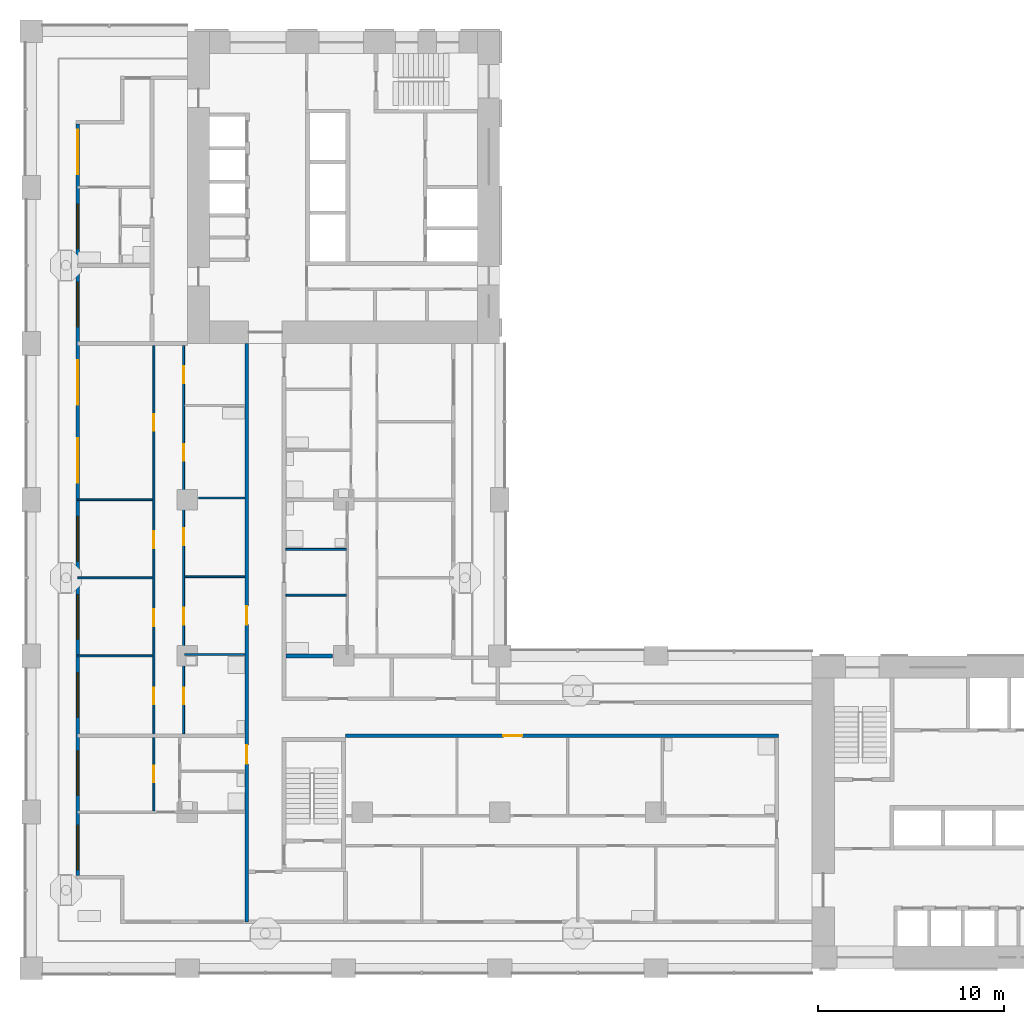
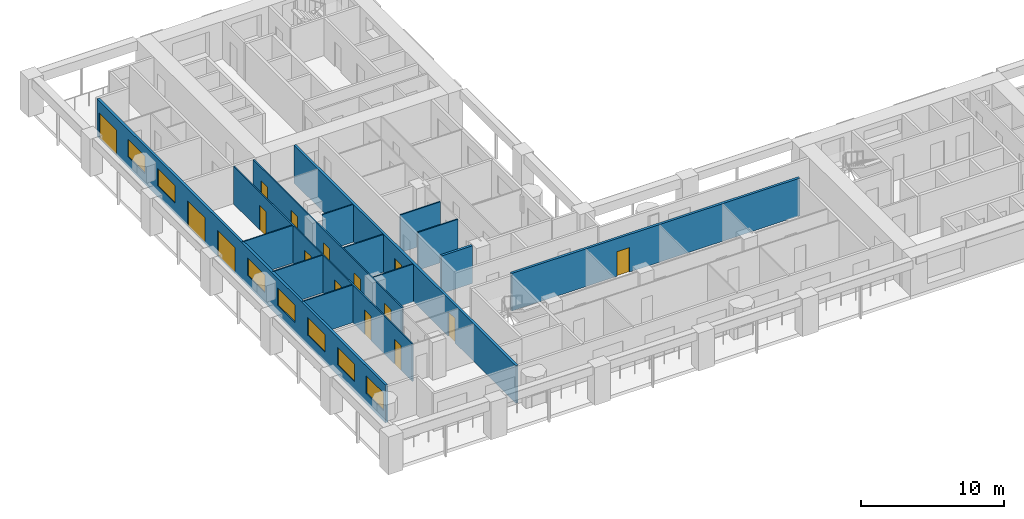
# One storey, part 3 of 18: 16 doors, 14 walls, 7 windows, 23 openings.
"""IFC4 building model written with IfcOpenShell, lengths in metres."""

from ifc_helpers import new_model, si_unit, direction, frame, frame_2d, origin, place, context, subcontext, project, spatial, rectangle, extrude, material, layer, layer_set, type_object, element, fill, save


model = new_model("IFC4")

# Units and contexts
model_context = context("Model", 3, precision=1e-05, world=origin(), true_north=direction((0.0, 1.0)))
body_context = subcontext(model_context, "Body", "Model", "MODEL_VIEW")
ifc_project = project(units=[si_unit("LENGTHUNIT", "METRE"), si_unit("AREAUNIT", "SQUARE_METRE"), si_unit("VOLUMEUNIT", "CUBIC_METRE"), si_unit("PLANEANGLEUNIT", "RADIAN"), si_unit("MASSUNIT", "GRAM", prefix="KILO")], contexts=[model_context])

# Site, building, storey
site_placement = place(None, origin())
site = spatial("IfcSite", under=ifc_project, at=site_placement, CompositionType="ELEMENT")
building_placement = place(site_placement, origin())
building = spatial("IfcBuilding", under=site, at=building_placement, Name="Vermilion Gate Residences", CompositionType="ELEMENT")
storey_placement = place(building_placement, frame((0.0, 0.0, 88.199951171875)))
storey = spatial("IfcBuildingStorey", under=building, at=storey_placement, Name="L21", CompositionType="ELEMENT", Elevation=88.199951171875)

# Wall, openings, doors, windows
ifc_material_1 = material(Name="Insulated steel stud wall with terracotta rainscreen", Category="masonry")
ifc_layer_1 = layer(ifc_material_1, 0.199951171875)
ifc_layer_set_1 = layer_set([ifc_layer_1], Name="EXTERNAL WALL 200 TERRACOTTA RAINSCREEN")
wall_type_1 = type_object("IfcWallType", Name="EXTERNAL WALL 200 TERRACOTTA RAINSCREEN", PredefinedType="SOLIDWALL", material=ifc_layer_set_1)
wall_1_placement = place(storey_placement, frame((2.5, 53.800048828125, 0.0), z_axis=(0.0, 0.0, 1.0), x_axis=(0.0, -1.0, 0.0)))
wall_1 = element("IfcWall", 1, at=wall_1_placement, inside=storey, type_object=wall_type_1, Name="External wall", PredefinedType="SOLIDWALL", context=body_context, shape_type="SweptSolid", body=[
    extrude(rectangle(XDim=40.400146484375, YDim=0.199951171875, at=frame_2d((20.2001953125, 0.0))), origin(), (0.0, 0.0, 1.0), 3.219970703125),
])
opening_1_placement = place(wall_1_placement, frame((37.699951171875, 0.0, 0.89990234375)))
opening_1 = element("IfcOpeningElement", 2, at=opening_1_placement, cuts=wall_1, Name="Opening WE21002", PredefinedType="OPENING", context=body_context, shape_type="SweptSolid", body=[
    extrude(rectangle(XDim=2.39990234375, YDim=1.5, at=frame_2d((1.199951171875, 0.75))), frame((0.0, 0.10986328125, 0.0), z_axis=(0.0, -1.0, 0.0), x_axis=(1.0, 0.0, 0.0)), (0.0, 0.0, 1.0), 0.219970703125),
])
opening_2_placement = place(wall_1_placement, frame((33.699951171875, 0.0, 0.89990234375)))
opening_2 = element("IfcOpeningElement", 3, at=opening_2_placement, cuts=wall_1, Name="Opening WE21003", PredefinedType="OPENING", context=body_context, shape_type="SweptSolid", body=[
    extrude(rectangle(XDim=2.39990234375, YDim=1.5, at=frame_2d((1.199951171875, 0.75))), frame((0.0, 0.10986328125, 0.0), z_axis=(0.0, -1.0, 0.0), x_axis=(1.0, 0.0, 0.0)), (0.0, 0.0, 1.0), 0.219970703125),
])
opening_3_placement = place(wall_1_placement, frame((29.5, 0.0, 0.89990234375)))
opening_3 = element("IfcOpeningElement", 4, at=opening_3_placement, cuts=wall_1, Name="Opening WE21004", PredefinedType="OPENING", context=body_context, shape_type="SweptSolid", body=[
    extrude(rectangle(XDim=2.39990234375, YDim=1.5, at=frame_2d((1.199951171875, 0.75))), frame((0.0, 0.10986328125, 0.0), z_axis=(0.0, -1.0, 0.0), x_axis=(1.0, 0.0, 0.0)), (0.0, 0.0, 1.0), 0.219970703125),
])
opening_4_placement = place(wall_1_placement, frame((25.300048828125, 0.0, 0.89990234375)))
opening_4 = element("IfcOpeningElement", 5, at=opening_4_placement, cuts=wall_1, Name="Opening WE21005", PredefinedType="OPENING", context=body_context, shape_type="SweptSolid", body=[
    extrude(rectangle(XDim=2.39990234375, YDim=1.5, at=frame_2d((1.199951171875, 0.75))), frame((0.0, 0.10986328125, 0.0), z_axis=(0.0, -1.0, 0.0), x_axis=(1.0, 0.0, 0.0)), (0.0, 0.0, 1.0), 0.219970703125),
])
opening_5_placement = place(wall_1_placement, frame((21.10009765625, 0.0, 0.89990234375)))
opening_5 = element("IfcOpeningElement", 6, at=opening_5_placement, cuts=wall_1, Name="Opening WE21006", PredefinedType="OPENING", context=body_context, shape_type="SweptSolid", body=[
    extrude(rectangle(XDim=2.39990234375, YDim=1.5, at=frame_2d((1.199951171875, 0.75))), frame((0.0, 0.10986328125, 0.0), z_axis=(0.0, -1.0, 0.0), x_axis=(1.0, 0.0, 0.0)), (0.0, 0.0, 1.0), 0.219970703125),
])
opening_6_placement = place(wall_1_placement, frame((16.89990234375, 0.0, 0.0)))
opening_6 = element("IfcOpeningElement", 7, at=opening_6_placement, cuts=wall_1, Name="Opening DE21007", PredefinedType="OPENING", context=body_context, shape_type="SweptSolid", body=[
    extrude(rectangle(XDim=2.39990234375, YDim=2.199951171875, at=frame_2d((1.199951171875, 1.10009765625))), frame((0.0, 0.10986328125, 0.0), z_axis=(0.0, -1.0, 0.0), x_axis=(1.0, 0.0, 0.0)), (0.0, 0.0, 1.0), 0.219970703125),
])
opening_7_placement = place(wall_1_placement, frame((12.699951171875, 0.0, 0.0)))
opening_7 = element("IfcOpeningElement", 8, at=opening_7_placement, cuts=wall_1, Name="Opening DE21008", PredefinedType="OPENING", context=body_context, shape_type="SweptSolid", body=[
    extrude(rectangle(XDim=2.39990234375, YDim=2.199951171875, at=frame_2d((1.199951171875, 1.10009765625))), frame((0.0, 0.10986328125, 0.0), z_axis=(0.0, -1.0, 0.0), x_axis=(1.0, 0.0, 0.0)), (0.0, 0.0, 1.0), 0.219970703125),
])
opening_8_placement = place(wall_1_placement, frame((8.5, 0.0, 0.89990234375)))
opening_8 = element("IfcOpeningElement", 9, at=opening_8_placement, cuts=wall_1, Name="Opening WE21009", PredefinedType="OPENING", context=body_context, shape_type="SweptSolid", body=[
    extrude(rectangle(XDim=2.39990234375, YDim=1.5, at=frame_2d((1.199951171875, 0.75))), frame((0.0, 0.10986328125, 0.0), z_axis=(0.0, -1.0, 0.0), x_axis=(1.0, 0.0, 0.0)), (0.0, 0.0, 1.0), 0.219970703125),
])
opening_9_placement = place(wall_1_placement, frame((4.300048828125, 0.0, 0.89990234375)))
opening_9 = element("IfcOpeningElement", 10, at=opening_9_placement, cuts=wall_1, Name="Opening WE21010", PredefinedType="OPENING", context=body_context, shape_type="SweptSolid", body=[
    extrude(rectangle(XDim=2.39990234375, YDim=1.5, at=frame_2d((1.199951171875, 0.75))), frame((0.0, 0.10986328125, 0.0), z_axis=(0.0, -1.0, 0.0), x_axis=(1.0, 0.0, 0.0)), (0.0, 0.0, 1.0), 0.219970703125),
])
opening_10_placement = place(wall_1_placement, frame((0.300048828125, 0.0, 0.0)))
opening_10 = element("IfcOpeningElement", 11, at=opening_10_placement, cuts=wall_1, Name="Opening DE21011", PredefinedType="OPENING", context=body_context, shape_type="SweptSolid", body=[
    extrude(rectangle(XDim=2.39990234375, YDim=2.199951171875, at=frame_2d((1.199951171875, 1.10009765625))), frame((0.0, 0.10986328125, 0.0), z_axis=(0.0, -1.0, 0.0), x_axis=(1.0, 0.0, 0.0)), (0.0, 0.0, 1.0), 0.219970703125),
])
ifc_material_2 = material(Name="Aluminium and clear glass", Category="aluminium")
door_type_1 = type_object("IfcDoorType", Name="SLIDING GLAZED DOOR 2400 X 2200", OperationType="DOUBLE_DOOR_SLIDING", PredefinedType="DOOR", material=ifc_material_2)
door_1_placement = place(opening_6_placement, origin())
door_1 = element("IfcDoor", 12, at=door_1_placement, inside=storey, type_object=door_type_1, Name="Loggia sliding door", OperationType="DOUBLE_DOOR_SLIDING", OverallHeight=2.199951171875, OverallWidth=2.39990234375, PredefinedType="DOOR", context=body_context, shape_type="SweptSolid", body=[
    extrude(rectangle(XDim=2.39990234375, YDim=2.199951171875, at=frame_2d((1.199951171875, 1.10009765625))), frame((0.0, 0.02490234375, 0.0), z_axis=(0.0, -1.0, 0.0), x_axis=(1.0, 0.0, 0.0)), (0.0, 0.0, 1.0), 0.050048828125),
])
fill(opening_6, door_1)
door_2_placement = place(opening_7_placement, origin())
door_2 = element("IfcDoor", 13, at=door_2_placement, inside=storey, type_object=door_type_1, Name="Loggia sliding door", OperationType="DOUBLE_DOOR_SLIDING", OverallHeight=2.199951171875, OverallWidth=2.39990234375, PredefinedType="DOOR", context=body_context, shape_type="SweptSolid", body=[
    extrude(rectangle(XDim=2.39990234375, YDim=2.199951171875, at=frame_2d((1.199951171875, 1.10009765625))), frame((0.0, 0.02490234375, 0.0), z_axis=(0.0, -1.0, 0.0), x_axis=(1.0, 0.0, 0.0)), (0.0, 0.0, 1.0), 0.050048828125),
])
fill(opening_7, door_2)
door_3_placement = place(opening_10_placement, origin())
door_3 = element("IfcDoor", 14, at=door_3_placement, inside=storey, type_object=door_type_1, Name="Loggia sliding door", OperationType="DOUBLE_DOOR_SLIDING", OverallHeight=2.199951171875, OverallWidth=2.39990234375, PredefinedType="DOOR", context=body_context, shape_type="SweptSolid", body=[
    extrude(rectangle(XDim=2.39990234375, YDim=2.199951171875, at=frame_2d((1.199951171875, 1.10009765625))), frame((0.0, 0.02490234375, 0.0), z_axis=(0.0, -1.0, 0.0), x_axis=(1.0, 0.0, 0.0)), (0.0, 0.0, 1.0), 0.050048828125),
])
fill(opening_10, door_3)
ifc_material_3 = material(Name="Aluminium and clear glass", Category="aluminium")
window_type = type_object("IfcWindowType", Name="WINDOW 2400 X 1500", PartitioningType="SINGLE_PANEL", PredefinedType="WINDOW", material=ifc_material_3)
window_1_placement = place(opening_1_placement, origin())
window_1 = element("IfcWindow", 15, at=window_1_placement, inside=storey, type_object=window_type, Name="Window", OverallHeight=1.5, OverallWidth=2.39990234375, PartitioningType="SINGLE_PANEL", PredefinedType="WINDOW", context=body_context, shape_type="SweptSolid", body=[
    extrude(rectangle(XDim=2.39990234375, YDim=1.5, at=frame_2d((1.199951171875, 0.75))), frame((0.0, 0.030029296875, 0.0), z_axis=(0.0, -1.0, 0.0), x_axis=(1.0, 0.0, 0.0)), (0.0, 0.0, 1.0), 0.06005859375),
])
fill(opening_1, window_1)
window_2_placement = place(opening_2_placement, origin())
window_2 = element("IfcWindow", 16, at=window_2_placement, inside=storey, type_object=window_type, Name="Window", OverallHeight=1.5, OverallWidth=2.39990234375, PartitioningType="SINGLE_PANEL", PredefinedType="WINDOW", context=body_context, shape_type="SweptSolid", body=[
    extrude(rectangle(XDim=2.39990234375, YDim=1.5, at=frame_2d((1.199951171875, 0.75))), frame((0.0, 0.030029296875, 0.0), z_axis=(0.0, -1.0, 0.0), x_axis=(1.0, 0.0, 0.0)), (0.0, 0.0, 1.0), 0.06005859375),
])
fill(opening_2, window_2)
window_3_placement = place(opening_3_placement, origin())
window_3 = element("IfcWindow", 17, at=window_3_placement, inside=storey, type_object=window_type, Name="Window", OverallHeight=1.5, OverallWidth=2.39990234375, PartitioningType="SINGLE_PANEL", PredefinedType="WINDOW", context=body_context, shape_type="SweptSolid", body=[
    extrude(rectangle(XDim=2.39990234375, YDim=1.5, at=frame_2d((1.199951171875, 0.75))), frame((0.0, 0.030029296875, 0.0), z_axis=(0.0, -1.0, 0.0), x_axis=(1.0, 0.0, 0.0)), (0.0, 0.0, 1.0), 0.06005859375),
])
fill(opening_3, window_3)
window_4_placement = place(opening_4_placement, origin())
window_4 = element("IfcWindow", 18, at=window_4_placement, inside=storey, type_object=window_type, Name="Window", OverallHeight=1.5, OverallWidth=2.39990234375, PartitioningType="SINGLE_PANEL", PredefinedType="WINDOW", context=body_context, shape_type="SweptSolid", body=[
    extrude(rectangle(XDim=2.39990234375, YDim=1.5, at=frame_2d((1.199951171875, 0.75))), frame((0.0, 0.030029296875, 0.0), z_axis=(0.0, -1.0, 0.0), x_axis=(1.0, 0.0, 0.0)), (0.0, 0.0, 1.0), 0.06005859375),
])
fill(opening_4, window_4)
window_5_placement = place(opening_5_placement, origin())
window_5 = element("IfcWindow", 19, at=window_5_placement, inside=storey, type_object=window_type, Name="Window", OverallHeight=1.5, OverallWidth=2.39990234375, PartitioningType="SINGLE_PANEL", PredefinedType="WINDOW", context=body_context, shape_type="SweptSolid", body=[
    extrude(rectangle(XDim=2.39990234375, YDim=1.5, at=frame_2d((1.199951171875, 0.75))), frame((0.0, 0.030029296875, 0.0), z_axis=(0.0, -1.0, 0.0), x_axis=(1.0, 0.0, 0.0)), (0.0, 0.0, 1.0), 0.06005859375),
])
fill(opening_5, window_5)
window_6_placement = place(opening_8_placement, origin())
window_6 = element("IfcWindow", 20, at=window_6_placement, inside=storey, type_object=window_type, Name="Window", OverallHeight=1.5, OverallWidth=2.39990234375, PartitioningType="SINGLE_PANEL", PredefinedType="WINDOW", context=body_context, shape_type="SweptSolid", body=[
    extrude(rectangle(XDim=2.39990234375, YDim=1.5, at=frame_2d((1.199951171875, 0.75))), frame((0.0, 0.030029296875, 0.0), z_axis=(0.0, -1.0, 0.0), x_axis=(1.0, 0.0, 0.0)), (0.0, 0.0, 1.0), 0.06005859375),
])
fill(opening_8, window_6)
window_7_placement = place(opening_9_placement, origin())
window_7 = element("IfcWindow", 21, at=window_7_placement, inside=storey, type_object=window_type, Name="Window", OverallHeight=1.5, OverallWidth=2.39990234375, PartitioningType="SINGLE_PANEL", PredefinedType="WINDOW", context=body_context, shape_type="SweptSolid", body=[
    extrude(rectangle(XDim=2.39990234375, YDim=1.5, at=frame_2d((1.199951171875, 0.75))), frame((0.0, 0.030029296875, 0.0), z_axis=(0.0, -1.0, 0.0), x_axis=(1.0, 0.0, 0.0)), (0.0, 0.0, 1.0), 0.06005859375),
])
fill(opening_9, window_7)

# Walls
ifc_material_4 = material(Name="Plasterboard on steel studs", Category="steel")
ifc_layer_2 = layer(ifc_material_4, 0.10009765625)
ifc_layer_set_2 = layer_set([ifc_layer_2], Name="PARTITION 100")
wall_type_2 = type_object("IfcWallType", Name="PARTITION 100", PredefinedType="PARTITIONING", material=ifc_layer_set_2)
wall_2_placement = place(storey_placement, frame((2.5, 25.199951171875, 0.0), z_axis=(0.0, 0.0, 1.0), x_axis=(1.0, 0.0, 0.0)))
element("IfcWall", 22, at=wall_2_placement, inside=storey, type_object=wall_type_2, Name="Partition", PredefinedType="PARTITIONING", context=body_context, shape_type="SweptSolid", body=[
    extrude(rectangle(XDim=4.050048828125, YDim=0.10009765625, at=frame_2d((2.02490234375, 0.0))), origin(), (0.0, 0.0, 1.0), 3.219970703125),
])
for number, where, z_axis, x_axis, name in (
    (23, (8.25, 25.280029296875, 0.0), (0.0, 0.0, 1.0), (1.0, 0.0, 0.0), "Partition"),
    (24, (13.699951171875, 28.467041015625, 0.0), (0.0, 0.0, 1.0), (1.0, 0.0, 0.0), "Partition"),
):
    element("IfcWall", number, at=place(storey_placement, frame(where, z_axis=z_axis, x_axis=x_axis)), inside=storey, type_object=wall_type_2, Name=name, PredefinedType="PARTITIONING", context=body_context, shape_type="SweptSolid", body=[
        extrude(rectangle(XDim=3.25, YDim=0.10009765625, at=frame_2d((1.625, 0.0))), origin(), (0.0, 0.0, 1.0), 3.219970703125),
    ])
wall_3_placement = place(storey_placement, frame((2.5, 29.39990234375, 0.0), z_axis=(0.0, 0.0, 1.0), x_axis=(1.0, 0.0, 0.0)))
element("IfcWall", 25, at=wall_3_placement, inside=storey, type_object=wall_type_2, Name="Partition", PredefinedType="PARTITIONING", context=body_context, shape_type="SweptSolid", body=[
    extrude(rectangle(XDim=4.050048828125, YDim=0.10009765625, at=frame_2d((2.02490234375, 0.0))), origin(), (0.0, 0.0, 1.0), 3.219970703125),
])
for number, where, z_axis, x_axis, name in (
    (26, (8.25, 29.4599609375, 0.0), (0.0, 0.0, 1.0), (1.0, 0.0, 0.0), "Partition"),
    (27, (13.699951171875, 30.93310546875, 0.0), (0.0, 0.0, 1.0), (1.0, 0.0, 0.0), "Partition"),
):
    element("IfcWall", number, at=place(storey_placement, frame(where, z_axis=z_axis, x_axis=x_axis)), inside=storey, type_object=wall_type_2, Name=name, PredefinedType="PARTITIONING", context=body_context, shape_type="SweptSolid", body=[
        extrude(rectangle(XDim=3.25, YDim=0.10009765625, at=frame_2d((1.625, 0.0))), origin(), (0.0, 0.0, 1.0), 3.219970703125),
    ])
wall_4_placement = place(storey_placement, frame((2.5, 33.60009765625, 0.0), z_axis=(0.0, 0.0, 1.0), x_axis=(1.0, 0.0, 0.0)))
element("IfcWall", 28, at=wall_4_placement, inside=storey, type_object=wall_type_2, Name="Partition", PredefinedType="PARTITIONING", context=body_context, shape_type="SweptSolid", body=[
    extrude(rectangle(XDim=4.050048828125, YDim=0.10009765625, at=frame_2d((2.02490234375, 0.0))), origin(), (0.0, 0.0, 1.0), 3.219970703125),
])
wall_5_placement = place(storey_placement, frame((9.0, 33.68994140625, 0.0), z_axis=(0.0, 0.0, 1.0), x_axis=(1.0, 0.0, 0.0)))
element("IfcWall", 29, at=wall_5_placement, inside=storey, type_object=wall_type_2, Name="Partition", PredefinedType="PARTITIONING", context=body_context, shape_type="SweptSolid", body=[
    extrude(rectangle(XDim=2.5, YDim=0.10009765625, at=frame_2d((1.25, 0.0))), origin(), (0.0, 0.0, 1.0), 3.219970703125),
])

# Wall, openings, doors
wall_6_placement = place(storey_placement, frame((6.60009765625, 16.85009765625, 0.0), z_axis=(0.0, 0.0, 1.0), x_axis=(0.0, 1.0, 0.0)))
wall_6 = element("IfcWall", 30, at=wall_6_placement, inside=storey, type_object=wall_type_2, Name="Partition", PredefinedType="PARTITIONING", context=body_context, shape_type="SweptSolid", body=[
    extrude(rectangle(XDim=25.0498046875, YDim=0.10009765625, at=frame_2d((12.52490234375, 0.0))), origin(), (0.0, 0.0, 1.0), 3.219970703125),
])
opening_11_placement = place(wall_6_placement, frame((1.550048828125, 0.0, 0.0)))
opening_11 = element("IfcOpeningElement", 31, at=opening_11_placement, cuts=wall_6, Name="Opening DA19019", PredefinedType="OPENING", context=body_context, shape_type="SweptSolid", body=[
    extrude(rectangle(XDim=0.89990234375, YDim=2.10009765625, at=frame_2d((0.449951171875, 1.050048828125))), frame((0.0, 0.06005859375, 0.0), z_axis=(0.0, -1.0, 0.0), x_axis=(1.0, 0.0, 0.0)), (0.0, 0.0, 1.0), 0.1201171875),
])
opening_12_placement = place(wall_6_placement, frame((5.75, 0.0, 0.0)))
opening_12 = element("IfcOpeningElement", 32, at=opening_12_placement, cuts=wall_6, Name="Opening DA19020", PredefinedType="OPENING", context=body_context, shape_type="SweptSolid", body=[
    extrude(rectangle(XDim=0.89990234375, YDim=2.10009765625, at=frame_2d((0.449951171875, 1.050048828125))), frame((0.0, 0.06005859375, 0.0), z_axis=(0.0, -1.0, 0.0), x_axis=(1.0, 0.0, 0.0)), (0.0, 0.0, 1.0), 0.1201171875),
])
opening_13_placement = place(wall_6_placement, frame((9.949951171875, 0.0, 0.0)))
opening_13 = element("IfcOpeningElement", 33, at=opening_13_placement, cuts=wall_6, Name="Opening DA19021", PredefinedType="OPENING", context=body_context, shape_type="SweptSolid", body=[
    extrude(rectangle(XDim=0.89990234375, YDim=2.10009765625, at=frame_2d((0.449951171875, 1.050048828125))), frame((0.0, 0.06005859375, 0.0), z_axis=(0.0, -1.0, 0.0), x_axis=(1.0, 0.0, 0.0)), (0.0, 0.0, 1.0), 0.1201171875),
])
opening_14_placement = place(wall_6_placement, frame((14.14990234375, 0.0, 0.0)))
opening_14 = element("IfcOpeningElement", 34, at=opening_14_placement, cuts=wall_6, Name="Opening DA19022", PredefinedType="OPENING", context=body_context, shape_type="SweptSolid", body=[
    extrude(rectangle(XDim=0.89990234375, YDim=2.10009765625, at=frame_2d((0.449951171875, 1.050048828125))), frame((0.0, 0.06005859375, 0.0), z_axis=(0.0, -1.0, 0.0), x_axis=(1.0, 0.0, 0.0)), (0.0, 0.0, 1.0), 0.1201171875),
])
opening_15_placement = place(wall_6_placement, frame((20.449951171875, 0.0, 0.0)))
opening_15 = element("IfcOpeningElement", 35, at=opening_15_placement, cuts=wall_6, Name="Opening DA19023", PredefinedType="OPENING", context=body_context, shape_type="SweptSolid", body=[
    extrude(rectangle(XDim=0.89990234375, YDim=2.10009765625, at=frame_2d((0.449951171875, 1.050048828125))), frame((0.0, 0.06005859375, 0.0), z_axis=(0.0, -1.0, 0.0), x_axis=(1.0, 0.0, 0.0)), (0.0, 0.0, 1.0), 0.1201171875),
])
ifc_material_5 = material(Name="Timber", Category="wood")
door_type_2 = type_object("IfcDoorType", Name="INTERIOR DOOR 900 X 2100", OperationType="SINGLE_SWING_LEFT", PredefinedType="DOOR", material=ifc_material_5)
door_4_placement = place(opening_11_placement, origin())
door_4 = element("IfcDoor", 36, at=door_4_placement, inside=storey, type_object=door_type_2, Name="Interior door", OperationType="SINGLE_SWING_RIGHT", OverallHeight=2.10009765625, OverallWidth=0.89990234375, PredefinedType="DOOR", context=body_context, shape_type="SweptSolid", body=[
    extrude(rectangle(XDim=0.89990234375, YDim=2.10009765625, at=frame_2d((0.449951171875, 1.050048828125))), frame((0.0, 0.02490234375, 0.0), z_axis=(0.0, -1.0, 0.0), x_axis=(1.0, 0.0, 0.0)), (0.0, 0.0, 1.0), 0.050048828125),
])
fill(opening_11, door_4)
door_5_placement = place(opening_12_placement, origin())
door_5 = element("IfcDoor", 37, at=door_5_placement, inside=storey, type_object=door_type_2, Name="Interior door", OperationType="SINGLE_SWING_LEFT", OverallHeight=2.10009765625, OverallWidth=0.89990234375, PredefinedType="DOOR", context=body_context, shape_type="SweptSolid", body=[
    extrude(rectangle(XDim=0.89990234375, YDim=2.10009765625, at=frame_2d((0.449951171875, 1.050048828125))), frame((0.0, 0.02490234375, 0.0), z_axis=(0.0, -1.0, 0.0), x_axis=(1.0, 0.0, 0.0)), (0.0, 0.0, 1.0), 0.050048828125),
])
fill(opening_12, door_5)
door_6_placement = place(opening_13_placement, origin())
door_6 = element("IfcDoor", 38, at=door_6_placement, inside=storey, type_object=door_type_2, Name="Interior door", OperationType="SINGLE_SWING_LEFT", OverallHeight=2.10009765625, OverallWidth=0.89990234375, PredefinedType="DOOR", context=body_context, shape_type="SweptSolid", body=[
    extrude(rectangle(XDim=0.89990234375, YDim=2.10009765625, at=frame_2d((0.449951171875, 1.050048828125))), frame((0.0, 0.02490234375, 0.0), z_axis=(0.0, -1.0, 0.0), x_axis=(1.0, 0.0, 0.0)), (0.0, 0.0, 1.0), 0.050048828125),
])
fill(opening_13, door_6)
door_7_placement = place(opening_14_placement, origin())
door_7 = element("IfcDoor", 39, at=door_7_placement, inside=storey, type_object=door_type_2, Name="Interior door", OperationType="SINGLE_SWING_LEFT", OverallHeight=2.10009765625, OverallWidth=0.89990234375, PredefinedType="DOOR", context=body_context, shape_type="SweptSolid", body=[
    extrude(rectangle(XDim=0.89990234375, YDim=2.10009765625, at=frame_2d((0.449951171875, 1.050048828125))), frame((0.0, 0.02490234375, 0.0), z_axis=(0.0, -1.0, 0.0), x_axis=(1.0, 0.0, 0.0)), (0.0, 0.0, 1.0), 0.050048828125),
])
fill(opening_14, door_7)
door_8_placement = place(opening_15_placement, origin())
door_8 = element("IfcDoor", 40, at=door_8_placement, inside=storey, type_object=door_type_2, Name="Interior door", OperationType="SINGLE_SWING_LEFT", OverallHeight=2.10009765625, OverallWidth=0.89990234375, PredefinedType="DOOR", context=body_context, shape_type="SweptSolid", body=[
    extrude(rectangle(XDim=0.89990234375, YDim=2.10009765625, at=frame_2d((0.449951171875, 1.050048828125))), frame((0.0, 0.02490234375, 0.0), z_axis=(0.0, -1.0, 0.0), x_axis=(1.0, 0.0, 0.0)), (0.0, 0.0, 1.0), 0.050048828125),
])
fill(opening_15, door_8)

wall_7_placement = place(storey_placement, frame((8.199951171875, 21.0, 0.0), z_axis=(0.0, 0.0, 1.0), x_axis=(0.0, 1.0, 0.0)))
wall_7 = element("IfcWall", 41, at=wall_7_placement, inside=storey, type_object=wall_type_2, Name="Partition", PredefinedType="PARTITIONING", context=body_context, shape_type="SweptSolid", body=[
    extrude(rectangle(XDim=20.89990234375, YDim=0.10009765625, at=frame_2d((10.449951171875, 0.0))), origin(), (0.0, 0.0, 1.0), 3.219970703125),
])
opening_16_placement = place(wall_7_placement, frame((5.8798828125, 0.0, 0.0)))
opening_16 = element("IfcOpeningElement", 42, at=opening_16_placement, cuts=wall_7, Name="Opening DA19026", PredefinedType="OPENING", context=body_context, shape_type="SweptSolid", body=[
    extrude(rectangle(XDim=0.89990234375, YDim=2.10009765625, at=frame_2d((0.449951171875, 1.050048828125))), frame((0.0, 0.06005859375, 0.0), z_axis=(0.0, -1.0, 0.0), x_axis=(1.0, 0.0, 0.0)), (0.0, 0.0, 1.0), 0.1201171875),
])
opening_17_placement = place(wall_7_placement, frame((1.60009765625, 0.0, 0.0)))
opening_17 = element("IfcOpeningElement", 43, at=opening_17_placement, cuts=wall_7, Name="Opening DA19027", PredefinedType="OPENING", context=body_context, shape_type="SweptSolid", body=[
    extrude(rectangle(XDim=0.89990234375, YDim=2.10009765625, at=frame_2d((0.449951171875, 1.050048828125))), frame((0.0, 0.06005859375, 0.0), z_axis=(0.0, -1.0, 0.0), x_axis=(1.0, 0.0, 0.0)), (0.0, 0.0, 1.0), 0.1201171875),
])
opening_18_placement = place(wall_7_placement, frame((10.159912109375, 0.0, 0.0)))
opening_18 = element("IfcOpeningElement", 44, at=opening_18_placement, cuts=wall_7, Name="Opening DA19028", PredefinedType="OPENING", context=body_context, shape_type="SweptSolid", body=[
    extrude(rectangle(XDim=0.89990234375, YDim=2.10009765625, at=frame_2d((0.449951171875, 1.050048828125))), frame((0.0, 0.06005859375, 0.0), z_axis=(0.0, -1.0, 0.0), x_axis=(1.0, 0.0, 0.0)), (0.0, 0.0, 1.0), 0.1201171875),
])
opening_19_placement = place(wall_7_placement, frame((14.68994140625, 0.0, 0.0)))
opening_19 = element("IfcOpeningElement", 45, at=opening_19_placement, cuts=wall_7, Name="Opening DA19029", PredefinedType="OPENING", context=body_context, shape_type="SweptSolid", body=[
    extrude(rectangle(XDim=0.89990234375, YDim=2.10009765625, at=frame_2d((0.449951171875, 1.050048828125))), frame((0.0, 0.06005859375, 0.0), z_axis=(0.0, -1.0, 0.0), x_axis=(1.0, 0.0, 0.0)), (0.0, 0.0, 1.0), 0.1201171875),
])
opening_20_placement = place(wall_7_placement, frame((18.8701171875, 0.0, 0.0)))
opening_20 = element("IfcOpeningElement", 46, at=opening_20_placement, cuts=wall_7, Name="Opening DA19030", PredefinedType="OPENING", context=body_context, shape_type="SweptSolid", body=[
    extrude(rectangle(XDim=0.89990234375, YDim=2.10009765625, at=frame_2d((0.449951171875, 1.050048828125))), frame((0.0, 0.06005859375, 0.0), z_axis=(0.0, -1.0, 0.0), x_axis=(1.0, 0.0, 0.0)), (0.0, 0.0, 1.0), 0.1201171875),
])
door_9_placement = place(opening_16_placement, frame((0.89990234375, 0.0, 0.0), z_axis=(0.0, 0.0, 1.0), x_axis=(-1.0, 0.0, 0.0)))
door_9 = element("IfcDoor", 47, at=door_9_placement, inside=storey, type_object=door_type_2, Name="Interior door", OperationType="SINGLE_SWING_RIGHT", OverallHeight=2.10009765625, OverallWidth=0.89990234375, PredefinedType="DOOR", context=body_context, shape_type="SweptSolid", body=[
    extrude(rectangle(XDim=0.89990234375, YDim=2.10009765625, at=frame_2d((0.449951171875, 1.050048828125))), frame((0.0, 0.02490234375, 0.0), z_axis=(0.0, -1.0, 0.0), x_axis=(1.0, 0.0, 0.0)), (0.0, 0.0, 1.0), 0.050048828125),
])
fill(opening_16, door_9)
door_10_placement = place(opening_17_placement, frame((0.89990234375, 0.0, 0.0), z_axis=(0.0, 0.0, 1.0), x_axis=(-1.0, 0.0, 0.0)))
door_10 = element("IfcDoor", 48, at=door_10_placement, inside=storey, type_object=door_type_2, Name="Interior door", OperationType="SINGLE_SWING_LEFT", OverallHeight=2.10009765625, OverallWidth=0.89990234375, PredefinedType="DOOR", context=body_context, shape_type="SweptSolid", body=[
    extrude(rectangle(XDim=0.89990234375, YDim=2.10009765625, at=frame_2d((0.449951171875, 1.050048828125))), frame((0.0, 0.02490234375, 0.0), z_axis=(0.0, -1.0, 0.0), x_axis=(1.0, 0.0, 0.0)), (0.0, 0.0, 1.0), 0.050048828125),
])
fill(opening_17, door_10)
door_11_placement = place(opening_18_placement, frame((0.89990234375, 0.0, 0.0), z_axis=(0.0, 0.0, 1.0), x_axis=(-1.0, 0.0, 0.0)))
door_11 = element("IfcDoor", 49, at=door_11_placement, inside=storey, type_object=door_type_2, Name="Interior door", OperationType="SINGLE_SWING_LEFT", OverallHeight=2.10009765625, OverallWidth=0.89990234375, PredefinedType="DOOR", context=body_context, shape_type="SweptSolid", body=[
    extrude(rectangle(XDim=0.89990234375, YDim=2.10009765625, at=frame_2d((0.449951171875, 1.050048828125))), frame((0.0, 0.02490234375, 0.0), z_axis=(0.0, -1.0, 0.0), x_axis=(1.0, 0.0, 0.0)), (0.0, 0.0, 1.0), 0.050048828125),
])
fill(opening_18, door_11)
door_12_placement = place(opening_19_placement, frame((0.89990234375, 0.0, 0.0), z_axis=(0.0, 0.0, 1.0), x_axis=(-1.0, 0.0, 0.0)))
door_12 = element("IfcDoor", 50, at=door_12_placement, inside=storey, type_object=door_type_2, Name="Interior door", OperationType="SINGLE_SWING_RIGHT", OverallHeight=2.10009765625, OverallWidth=0.89990234375, PredefinedType="DOOR", context=body_context, shape_type="SweptSolid", body=[
    extrude(rectangle(XDim=0.89990234375, YDim=2.10009765625, at=frame_2d((0.449951171875, 1.050048828125))), frame((0.0, 0.02490234375, 0.0), z_axis=(0.0, -1.0, 0.0), x_axis=(1.0, 0.0, 0.0)), (0.0, 0.0, 1.0), 0.050048828125),
])
fill(opening_19, door_12)
door_13_placement = place(opening_20_placement, frame((0.89990234375, 0.0, 0.0), z_axis=(0.0, 0.0, 1.0), x_axis=(-1.0, 0.0, 0.0)))
door_13 = element("IfcDoor", 51, at=door_13_placement, inside=storey, type_object=door_type_2, Name="Interior door", OperationType="SINGLE_SWING_LEFT", OverallHeight=2.10009765625, OverallWidth=0.89990234375, PredefinedType="DOOR", context=body_context, shape_type="SweptSolid", body=[
    extrude(rectangle(XDim=0.89990234375, YDim=2.10009765625, at=frame_2d((0.449951171875, 1.050048828125))), frame((0.0, 0.02490234375, 0.0), z_axis=(0.0, -1.0, 0.0), x_axis=(1.0, 0.0, 0.0)), (0.0, 0.0, 1.0), 0.050048828125),
])
fill(opening_20, door_13)

# Wall, opening, door
ifc_material_6 = material(Name="Fire-rated plasterboard on steel studs", Category="steel")
ifc_layer_3 = layer(ifc_material_6, 0.199951171875)
ifc_layer_set_3 = layer_set([ifc_layer_3], Name="PARTY WALL 200 EI 120")
wall_type_3 = type_object("IfcWallType", Name="PARTY WALL 200 EI 120", PredefinedType="PARTITIONING", material=ifc_layer_set_3)
wall_8_placement = place(storey_placement, frame((16.89990234375, 20.89990234375, 0.0), z_axis=(0.0, 0.0, 1.0), x_axis=(1.0, 0.0, 0.0)))
wall_8 = element("IfcWall", 52, at=wall_8_placement, inside=storey, type_object=wall_type_3, Name="Party and corridor wall", PredefinedType="PARTITIONING", context=body_context, shape_type="SweptSolid", body=[
    extrude(rectangle(XDim=23.300048828125, YDim=0.199951171875, at=frame_2d((11.64990234375, 0.0))), origin(), (0.0, 0.0, 1.0), 3.219970703125),
])
opening_21_placement = place(wall_8_placement, frame((8.5, 0.0, 0.0)))
opening_21 = element("IfcOpeningElement", 53, at=opening_21_placement, cuts=wall_8, Name="Opening DA19011", PredefinedType="OPENING", context=body_context, shape_type="SweptSolid", body=[
    extrude(rectangle(XDim=1.0, YDim=2.10009765625, at=frame_2d((0.5, 1.050048828125))), frame((0.0, 0.10986328125, 0.0), z_axis=(0.0, -1.0, 0.0), x_axis=(1.0, 0.0, 0.0)), (0.0, 0.0, 1.0), 0.219970703125),
])
ifc_material_7 = material(Name="Steel", Category="steel")
door_type_3 = type_object("IfcDoorType", Name="ENTRANCE DOOR 1000 X 2100 FD30", OperationType="SINGLE_SWING_LEFT", PredefinedType="DOOR", material=ifc_material_7)
door_14_placement = place(opening_21_placement, frame((1.0, 0.0, 0.0), z_axis=(0.0, 0.0, 1.0), x_axis=(-1.0, 0.0, 0.0)))
door_14 = element("IfcDoor", 54, at=door_14_placement, inside=storey, type_object=door_type_3, Name="Entrance door", OperationType="SINGLE_SWING_LEFT", OverallHeight=2.10009765625, OverallWidth=1.0, PredefinedType="DOOR", context=body_context, shape_type="SweptSolid", body=[
    extrude(rectangle(XDim=1.0, YDim=2.10009765625, at=frame_2d((0.5, 1.050048828125))), frame((0.0, 0.02490234375, 0.0), z_axis=(0.0, -1.0, 0.0), x_axis=(1.0, 0.0, 0.0)), (0.0, 0.0, 1.0), 0.050048828125),
])
fill(opening_21, door_14)

# Wall
wall_9_placement = place(storey_placement, frame((13.699951171875, 25.199951171875, 0.0), z_axis=(0.0, 0.0, 1.0), x_axis=(1.0, 0.0, 0.0)))
element("IfcWall", 55, at=wall_9_placement, inside=storey, type_object=wall_type_3, Name="Party and corridor wall", PredefinedType="PARTITIONING", context=body_context, shape_type="SweptSolid", body=[
    extrude(rectangle(XDim=2.5, YDim=0.199951171875, at=frame_2d((1.25, 0.0))), origin(), (0.0, 0.0, 1.0), 3.219970703125),
])

# Wall, openings, doors
wall_10_placement = place(storey_placement, frame((11.60009765625, 10.89990234375, 0.0), z_axis=(0.0, 0.0, 1.0), x_axis=(0.0, 1.0, 0.0)))
wall_10 = element("IfcWall", 56, at=wall_10_placement, inside=storey, type_object=wall_type_3, Name="Party and corridor wall", PredefinedType="PARTITIONING", context=body_context, shape_type="SweptSolid", body=[
    extrude(rectangle(XDim=31.10009765625, YDim=0.199951171875, at=frame_2d((15.550048828125, 0.0))), origin(), (0.0, 0.0, 1.0), 3.219970703125),
])
opening_22_placement = place(wall_10_placement, frame((8.5, 0.0, 0.0)))
opening_22 = element("IfcOpeningElement", 57, at=opening_22_placement, cuts=wall_10, Name="Opening DA19031", PredefinedType="OPENING", context=body_context, shape_type="SweptSolid", body=[
    extrude(rectangle(XDim=1.0, YDim=2.10009765625, at=frame_2d((0.5, 1.050048828125))), frame((0.0, 0.10986328125, 0.0), z_axis=(0.0, -1.0, 0.0), x_axis=(1.0, 0.0, 0.0)), (0.0, 0.0, 1.0), 0.219970703125),
])
opening_23_placement = place(wall_10_placement, frame((15.97998046875, 0.0, 0.0)))
opening_23 = element("IfcOpeningElement", 58, at=opening_23_placement, cuts=wall_10, Name="Opening DA19032", PredefinedType="OPENING", context=body_context, shape_type="SweptSolid", body=[
    extrude(rectangle(XDim=1.0, YDim=2.10009765625, at=frame_2d((0.5, 1.050048828125))), frame((0.0, 0.10986328125, 0.0), z_axis=(0.0, -1.0, 0.0), x_axis=(1.0, 0.0, 0.0)), (0.0, 0.0, 1.0), 0.219970703125),
])
door_15_placement = place(opening_22_placement, origin())
door_15 = element("IfcDoor", 59, at=door_15_placement, inside=storey, type_object=door_type_3, Name="Entrance door", OperationType="SINGLE_SWING_LEFT", OverallHeight=2.10009765625, OverallWidth=1.0, PredefinedType="DOOR", context=body_context, shape_type="SweptSolid", body=[
    extrude(rectangle(XDim=1.0, YDim=2.10009765625, at=frame_2d((0.5, 1.050048828125))), frame((0.0, 0.02490234375, 0.0), z_axis=(0.0, -1.0, 0.0), x_axis=(1.0, 0.0, 0.0)), (0.0, 0.0, 1.0), 0.050048828125),
])
fill(opening_22, door_15)
door_16_placement = place(opening_23_placement, origin())
door_16 = element("IfcDoor", 60, at=door_16_placement, inside=storey, type_object=door_type_3, Name="Entrance door", OperationType="SINGLE_SWING_RIGHT", OverallHeight=2.10009765625, OverallWidth=1.0, PredefinedType="DOOR", context=body_context, shape_type="SweptSolid", body=[
    extrude(rectangle(XDim=1.0, YDim=2.10009765625, at=frame_2d((0.5, 1.050048828125))), frame((0.0, 0.02490234375, 0.0), z_axis=(0.0, -1.0, 0.0), x_axis=(1.0, 0.0, 0.0)), (0.0, 0.0, 1.0), 0.050048828125),
])
fill(opening_23, door_16)

save(model, "model.ifc")
